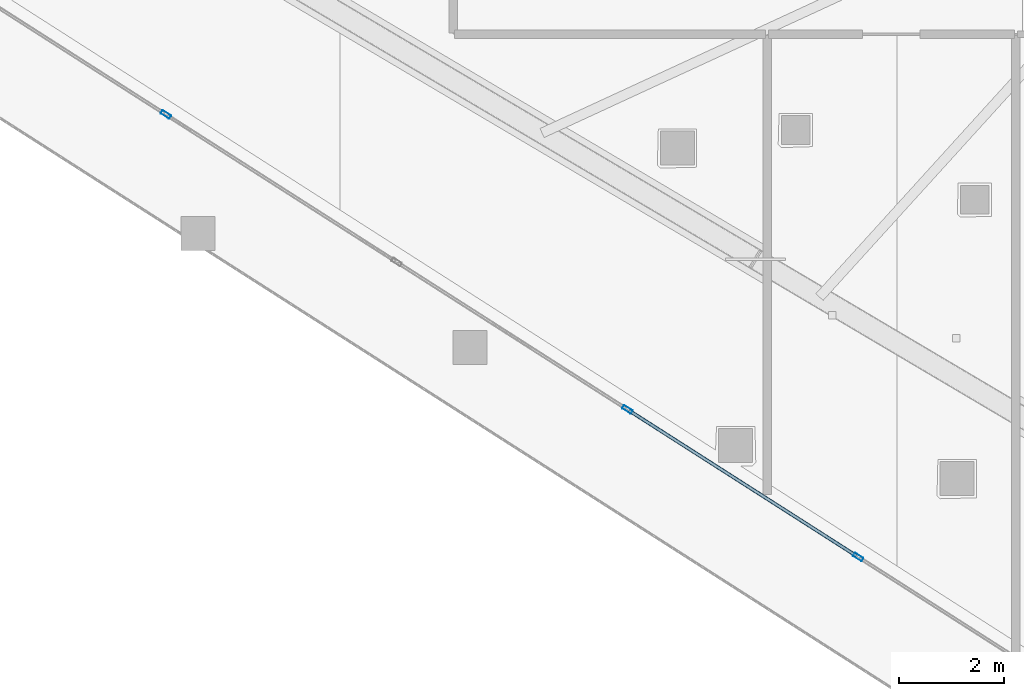
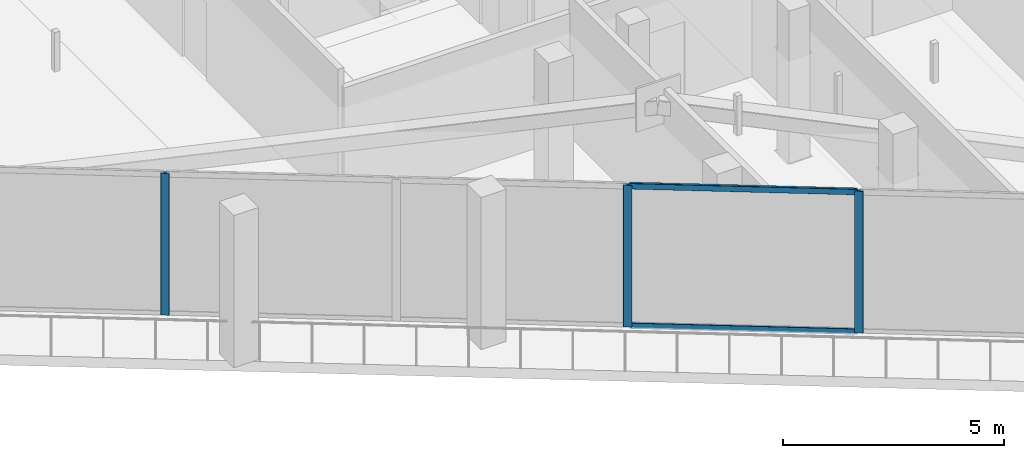
# One storey, part 2 of 47: 5 members, 1 element without a shape of its own.
"""IFC4 building model written with IfcOpenShell, lengths in metres."""

from ifc_helpers import new_model, si_unit, direction, frame, origin, origin_2d, place, context, subcontext, project, spatial, hollow_rectangle, extrude, material, layer, layer_set, material_profile, profile_set, type_object, element, aggregate, save


model = new_model("IFC4")

# Units and contexts
model_context = context("Model", 3, precision=1e-05, world=origin(), true_north=direction((0.0, 1.0)))
body_context = subcontext(model_context, "Body", "Model", "MODEL_VIEW")
ifc_project = project(units=[si_unit("LENGTHUNIT", "METRE"), si_unit("AREAUNIT", "SQUARE_METRE"), si_unit("VOLUMEUNIT", "CUBIC_METRE"), si_unit("PLANEANGLEUNIT", "RADIAN"), si_unit("MASSUNIT", "GRAM", prefix="KILO")], contexts=[model_context])

# Site, building, storey
site_placement = place(None, origin())
site = spatial("IfcSite", under=ifc_project, at=site_placement, CompositionType="ELEMENT")
building_placement = place(site_placement, origin())
building = spatial("IfcBuilding", under=site, at=building_placement, Name="Qorvath Tower", CompositionType="ELEMENT")
storey_placement = place(building_placement, frame((0.0, 0.0, 74.39990234375)))
storey = spatial("IfcBuildingStorey", under=building, at=storey_placement, Name="L16", CompositionType="ELEMENT", Elevation=74.39990234375)

# Curtain wall, members
ifc_material_1 = material(Name="Anodised aluminium and triple low-E glass", Category="aluminium")
ifc_layer = layer(ifc_material_1, 0.179931640625)
ifc_layer_set = layer_set([ifc_layer], Name="CW-SYS-5")
curtain_wall_type = type_object("IfcCurtainWallType", Name="CW-SYS-5", PredefinedType="NOTDEFINED", material=ifc_layer_set)
curtain_wall_placement = place(storey_placement, origin())
curtain_wall = element("IfcCurtainWall", 1, at=curtain_wall_placement, inside=storey, type_object=curtain_wall_type, Name="Curtain Wall CW-5 CW-T-L16-6.1", PredefinedType="NOTDEFINED")
ifc_material_2 = material(Name="Anodised aluminium 6063-T6", Category="aluminium")
ifc_material_profile_1 = material_profile(ifc_material_2, hollow_rectangle(XDim=0.074951171875, YDim=0.199951171875, WallThickness=0.00390625, InnerFilletRadius=0.00390625, OuterFilletRadius=0.008056640625, at=origin_2d()), Name="CWM 200x75")
ifc_profile_set_1 = profile_set([ifc_material_profile_1], Name="Anodised aluminium 6063-T6")
member_type_1 = type_object("IfcMemberType", Name="CWM-200", PredefinedType="MULLION", material=ifc_profile_set_1)
member_1_placement = place(storey_placement, frame((-46.152587890625, -12.49462890625, 0.0), z_axis=(0.0, 0.0, 1.0), x_axis=(0.538533177038, 0.842604306439, 0.0)))
member_1 = element("IfcMember", 2, at=member_1_placement, type_object=member_type_1, Name="CW-5 mullion 4", PredefinedType="MULLION", context=body_context, shape_type="SweptSolid", body=[
    extrude(hollow_rectangle(XDim=0.074951171875, YDim=0.199951171875, WallThickness=0.00390625, InnerFilletRadius=0.00390625, OuterFilletRadius=0.008056640625, at=origin_2d()), origin(), (0.0, 0.0, 1.0), 3.920166015625),
])
member_2_placement = place(storey_placement, frame((-37.323974609375, -18.13720703125, 0.0), z_axis=(0.0, 0.0, 1.0), x_axis=(0.538533177038, 0.842604306439, 0.0)))
member_2 = element("IfcMember", 3, at=member_2_placement, type_object=member_type_1, Name="CW-5 mullion 6", PredefinedType="MULLION", context=body_context, shape_type="SweptSolid", body=[
    extrude(hollow_rectangle(XDim=0.074951171875, YDim=0.199951171875, WallThickness=0.00390625, InnerFilletRadius=0.00390625, OuterFilletRadius=0.008056640625, at=origin_2d()), origin(), (0.0, 0.0, 1.0), 3.920166015625),
])
member_3_placement = place(storey_placement, frame((-32.909423828125, -20.958740234375, 0.0), z_axis=(0.0, 0.0, 1.0), x_axis=(0.538533177038, 0.842604306439, 0.0)))
member_3 = element("IfcMember", 4, at=member_3_placement, type_object=member_type_1, Name="CW-5 mullion 7", PredefinedType="MULLION", context=body_context, shape_type="SweptSolid", body=[
    extrude(hollow_rectangle(XDim=0.074951171875, YDim=0.199951171875, WallThickness=0.00390625, InnerFilletRadius=0.00390625, OuterFilletRadius=0.008056640625, at=origin_2d()), origin(), (0.0, 0.0, 1.0), 3.920166015625),
])
ifc_material_3 = material(Name="Anodised aluminium 6063-T6", Category="aluminium")
ifc_material_profile_2 = material_profile(ifc_material_3, hollow_rectangle(XDim=0.06494140625, YDim=0.159912109375, WallThickness=0.00341796875, InnerFilletRadius=0.00341796875, OuterFilletRadius=0.007080078125, at=origin_2d()), Name="CWT 160x65")
ifc_profile_set_2 = profile_set([ifc_material_profile_2], Name="Anodised aluminium 6063-T6")
member_type_2 = type_object("IfcMemberType", Name="CWT-160", PredefinedType="USERDEFINED", material=ifc_profile_set_2)
member_4_placement = place(storey_placement, frame((-37.292236328125, -18.157470703125, 0.032470703125), z_axis=(0.842594952628, -0.538547811996, 0.0), x_axis=(0.538547811996, 0.842594952628, 0.0)))
member_4 = element("IfcMember", 5, at=member_4_placement, type_object=member_type_2, Name="CW-5 transom 6.1", ObjectType="TRANSOM", PredefinedType="USERDEFINED", context=body_context, shape_type="SweptSolid", body=[
    extrude(hollow_rectangle(XDim=0.06494140625, YDim=0.159912109375, WallThickness=0.00341796875, InnerFilletRadius=0.00341796875, OuterFilletRadius=0.007080078125, at=origin_2d()), origin(), (0.0, 0.0, 1.0), 5.163818359375),
])
member_5_placement = place(storey_placement, frame((-37.292236328125, -18.157470703125, 3.8876953125), z_axis=(0.842594952628, -0.538547811996, 0.0), x_axis=(0.538547811996, 0.842594952628, 0.0)))
member_5 = element("IfcMember", 6, at=member_5_placement, type_object=member_type_2, Name="CW-5 transom 6.2", ObjectType="TRANSOM", PredefinedType="USERDEFINED", context=body_context, shape_type="SweptSolid", body=[
    extrude(hollow_rectangle(XDim=0.06494140625, YDim=0.159912109375, WallThickness=0.00341796875, InnerFilletRadius=0.00341796875, OuterFilletRadius=0.007080078125, at=origin_2d()), origin(), (0.0, 0.0, 1.0), 5.163818359375),
])
aggregate(curtain_wall, [member_1, member_2, member_3, member_4, member_5])

save(model, "model.ifc")
